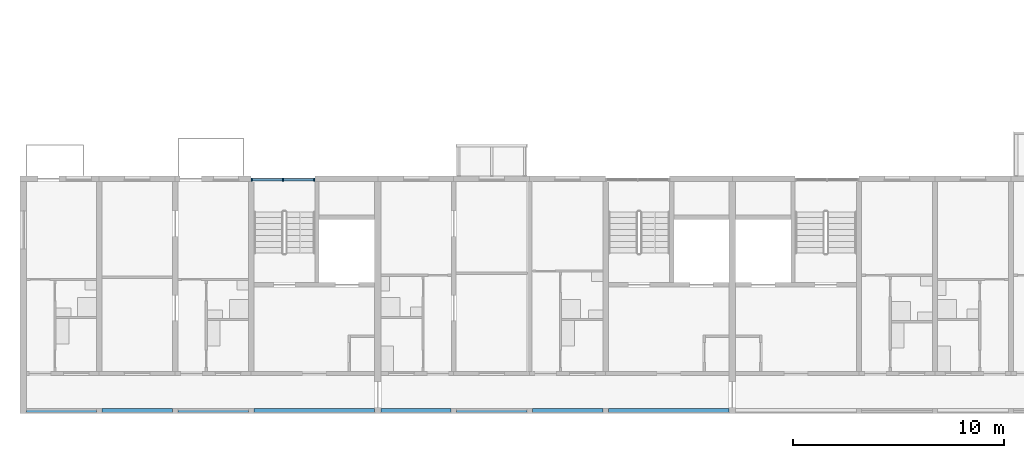
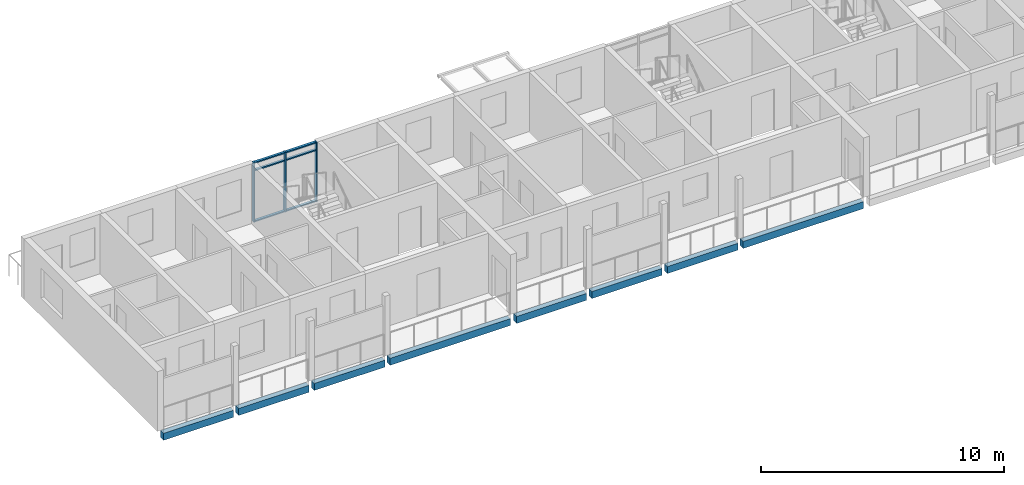
# One storey, part 5 of 98: 9 members, 8 beams, 1 element without a shape of its own.
"""IFC4 building model written with IfcOpenShell, lengths in metres."""

from ifc_helpers import new_model, si_unit, direction, frame, origin, origin_2d, place, context, subcontext, project, spatial, rectangle, extrude, material, material_profile, profile_set, type_object, element, aggregate, save


model = new_model("IFC4")

# Units and contexts
model_context = context("Model", 3, precision=1e-05, world=origin(), true_north=direction((0.0, 1.0)))
body_context = subcontext(model_context, "Body", "Model", "MODEL_VIEW")
ifc_project = project(units=[si_unit("LENGTHUNIT", "METRE"), si_unit("AREAUNIT", "SQUARE_METRE"), si_unit("VOLUMEUNIT", "CUBIC_METRE"), si_unit("PLANEANGLEUNIT", "RADIAN"), si_unit("MASSUNIT", "GRAM", prefix="KILO")], contexts=[model_context])

# Site, building, storey
site_placement = place(None, origin())
site = spatial("IfcSite", under=ifc_project, at=site_placement, CompositionType="ELEMENT")
building_placement = place(site_placement, origin())
building = spatial("IfcBuilding", under=site, at=building_placement, Name="Ridgestep Commons", CompositionType="ELEMENT")
storey_placement = place(building_placement, frame((0.0, 0.0, 12.0)))
storey = spatial("IfcBuildingStorey", under=building, at=storey_placement, Name="L04", CompositionType="ELEMENT", Elevation=12.0)

# Beams
ifc_material_1 = material(Name="Precast concrete C40/50", Category="concrete")
ifc_material_profile_1 = material_profile(ifc_material_1, rectangle(XDim=0.25, YDim=0.35009765625, at=origin_2d()), Name="PC 250x350")
ifc_profile_set_1 = profile_set([ifc_material_profile_1], Name="Precast concrete C40/50")
beam_type = type_object("IfcBeamType", Name="Loggia edge beam 250 x 350", PredefinedType="SPANDREL", material=ifc_profile_set_1)
beam_1_placement = place(storey_placement, frame((12.14990234375, 11.875, -0.375), z_axis=(1.0, 0.0, 0.0), x_axis=(0.0, 1.0, 0.0)))
element("IfcBeam", 1, at=beam_1_placement, inside=storey, type_object=beam_type, Name="Loggia edge beam A1T1 L04", PredefinedType="SPANDREL", context=body_context, shape_type="SweptSolid", body=[
    extrude(rectangle(XDim=0.25, YDim=0.35009765625, at=origin_2d()), origin(), (0.0, 0.0, 1.0), 3.3251953125),
])
beam_2_placement = place(storey_placement, frame((15.72509765625, 11.875, -0.375), z_axis=(1.0, 0.0, 0.0), x_axis=(0.0, 1.0, 0.0)))
element("IfcBeam", 2, at=beam_2_placement, inside=storey, type_object=beam_type, Name="Loggia edge beam A1T2 L04", PredefinedType="SPANDREL", context=body_context, shape_type="SweptSolid", body=[
    extrude(rectangle(XDim=0.25, YDim=0.35009765625, at=origin_2d()), origin(), (0.0, 0.0, 1.0), 3.349853515625),
])
beam_3_placement = place(storey_placement, frame((19.324951171875, 11.875, -0.375), z_axis=(1.0, 0.0, 0.0), x_axis=(0.0, 1.0, 0.0)))
element("IfcBeam", 3, at=beam_3_placement, inside=storey, type_object=beam_type, Name="Loggia edge beam A1T3 L04", PredefinedType="SPANDREL", context=body_context, shape_type="SweptSolid", body=[
    extrude(rectangle(XDim=0.25, YDim=0.35009765625, at=origin_2d()), origin(), (0.0, 0.0, 1.0), 3.35009765625),
])
beam_4_placement = place(storey_placement, frame((22.925048828125, 11.875, -0.375), z_axis=(1.0, 0.0, 0.0), x_axis=(0.0, 1.0, 0.0)))
element("IfcBeam", 4, at=beam_4_placement, inside=storey, type_object=beam_type, Name="Loggia edge beam A1C L04", PredefinedType="SPANDREL", context=body_context, shape_type="SweptSolid", body=[
    extrude(rectangle(XDim=0.25, YDim=0.35009765625, at=origin_2d()), origin(), (0.0, 0.0, 1.0), 5.724853515625),
])
beam_5_placement = place(storey_placement, frame((28.949951171875, 11.875, -0.375), z_axis=(1.0, 0.0, 0.0), x_axis=(0.0, 1.0, 0.0)))
element("IfcBeam", 5, at=beam_5_placement, inside=storey, type_object=beam_type, Name="Loggia edge beam A2T1 L04", PredefinedType="SPANDREL", context=body_context, shape_type="SweptSolid", body=[
    extrude(rectangle(XDim=0.25, YDim=0.35009765625, at=origin_2d()), origin(), (0.0, 0.0, 1.0), 3.324951171875),
])
for number, where, z_axis, x_axis, name in (
    (6, (32.52490234375, 11.875, -0.375), (1.0, 0.0, 0.0), (0.0, 1.0, 0.0), "Loggia edge beam A2T2 L04"),
    (7, (36.125, 11.875, -0.375), (1.0, 0.0, 0.0), (0.0, 1.0, 0.0), "Loggia edge beam A2T3 L04"),
):
    element("IfcBeam", number, at=place(storey_placement, frame(where, z_axis=z_axis, x_axis=x_axis)), inside=storey, type_object=beam_type, Name=name, PredefinedType="SPANDREL", context=body_context, shape_type="SweptSolid", body=[
        extrude(rectangle(XDim=0.25, YDim=0.35009765625, at=origin_2d()), origin(), (0.0, 0.0, 1.0), 3.35009765625),
    ])
beam_6_placement = place(storey_placement, frame((39.72509765625, 11.875, -0.375), z_axis=(1.0, 0.0, 0.0), x_axis=(0.0, 1.0, 0.0)))
element("IfcBeam", 8, at=beam_6_placement, inside=storey, type_object=beam_type, Name="Loggia edge beam A2C L04", PredefinedType="SPANDREL", context=body_context, shape_type="SweptSolid", body=[
    extrude(rectangle(XDim=0.25, YDim=0.35009765625, at=origin_2d()), origin(), (0.0, 0.0, 1.0), 5.724853515625),
])

# Curtain wall, members
ifc_material_2 = material(Name="Aluminium 6063-T6 and glass", Category="aluminium")
curtain_wall_type = type_object("IfcCurtainWallType", Name="Curtain wall stair strip", PredefinedType="NOTDEFINED", material=ifc_material_2)
curtain_wall_placement = place(storey_placement, origin())
curtain_wall = element("IfcCurtainWall", 9, at=curtain_wall_placement, inside=storey, type_object=curtain_wall_type, Name="Curtain wall A1C level 04", PredefinedType="NOTDEFINED")
ifc_material_3 = material(Name="Aluminium 6063-T6", Category="aluminium")
ifc_material_profile_2 = material_profile(ifc_material_3, rectangle(XDim=0.159912109375, YDim=0.06005859375, at=origin_2d()), Name="Mullion 60 x 160")
ifc_profile_set_2 = profile_set([ifc_material_profile_2], Name="Aluminium 6063-T6")
member_type_1 = type_object("IfcMemberType", Name="Mullion 60 x 160", PredefinedType="MULLION", material=ifc_profile_set_2)
member_1_placement = place(storey_placement, frame((22.830078125, 22.830078125, 0.0), z_axis=(0.0, 0.0, 1.0), x_axis=(0.0, 1.0, 0.0)))
member_1 = element("IfcMember", 10, at=member_1_placement, type_object=member_type_1, Name="CW1 mullion 1", PredefinedType="MULLION", context=body_context, shape_type="SweptSolid", body=[
    extrude(rectangle(XDim=0.159912109375, YDim=0.06005859375, at=origin_2d()), origin(), (0.0, 0.0, 1.0), 3.0),
])
member_2_placement = place(storey_placement, frame((24.3125, 22.830078125, 0.0), z_axis=(0.0, 0.0, 1.0), x_axis=(0.0, 1.0, 0.0)))
member_2 = element("IfcMember", 11, at=member_2_placement, type_object=member_type_1, Name="CW1 mullion 2", PredefinedType="MULLION", context=body_context, shape_type="SweptSolid", body=[
    extrude(rectangle(XDim=0.159912109375, YDim=0.06005859375, at=origin_2d()), origin(), (0.0, 0.0, 1.0), 3.0),
])
member_3_placement = place(storey_placement, frame((25.794921875, 22.830078125, 0.0), z_axis=(0.0, 0.0, 1.0), x_axis=(0.0, 1.0, 0.0)))
member_3 = element("IfcMember", 12, at=member_3_placement, type_object=member_type_1, Name="CW1 mullion 3", PredefinedType="MULLION", context=body_context, shape_type="SweptSolid", body=[
    extrude(rectangle(XDim=0.159912109375, YDim=0.06005859375, at=origin_2d()), origin(), (0.0, 0.0, 1.0), 3.0),
])
ifc_material_4 = material(Name="Aluminium 6063-T6", Category="aluminium")
ifc_material_profile_3 = material_profile(ifc_material_4, rectangle(XDim=0.1201171875, YDim=0.06005859375, at=origin_2d()), Name="Transom 60 x 120")
ifc_profile_set_3 = profile_set([ifc_material_profile_3], Name="Aluminium 6063-T6")
member_type_2 = type_object("IfcMemberType", Name="Transom 60 x 120", PredefinedType="USERDEFINED", material=ifc_profile_set_3)
member_4_placement = place(storey_placement, frame((22.860107421875, 22.830078125, 0.030029296875), z_axis=(1.0, 0.0, 0.0), x_axis=(0.0, 1.0, 0.0)))
member_4 = element("IfcMember", 13, at=member_4_placement, type_object=member_type_2, Name="CW1 transom 1.1", ObjectType="TRANSOM", PredefinedType="USERDEFINED", context=body_context, shape_type="SweptSolid", body=[
    extrude(rectangle(XDim=0.1201171875, YDim=0.06005859375, at=origin_2d()), origin(), (0.0, 0.0, 1.0), 1.42236328125),
])
member_5_placement = place(storey_placement, frame((22.860107421875, 22.830078125, 2.590087890625), z_axis=(1.0, 0.0, 0.0), x_axis=(0.0, 1.0, 0.0)))
member_5 = element("IfcMember", 14, at=member_5_placement, type_object=member_type_2, Name="CW1 transom 1.2", ObjectType="TRANSOM", PredefinedType="USERDEFINED", context=body_context, shape_type="SweptSolid", body=[
    extrude(rectangle(XDim=0.1201171875, YDim=0.06005859375, at=origin_2d()), origin(), (0.0, 0.0, 1.0), 1.42236328125),
])
member_6_placement = place(storey_placement, frame((22.860107421875, 22.830078125, 2.969970703125), z_axis=(1.0, 0.0, 0.0), x_axis=(0.0, 1.0, 0.0)))
member_6 = element("IfcMember", 15, at=member_6_placement, type_object=member_type_2, Name="CW1 transom 1.3", ObjectType="TRANSOM", PredefinedType="USERDEFINED", context=body_context, shape_type="SweptSolid", body=[
    extrude(rectangle(XDim=0.1201171875, YDim=0.06005859375, at=origin_2d()), origin(), (0.0, 0.0, 1.0), 1.42236328125),
])
member_7_placement = place(storey_placement, frame((24.342529296875, 22.830078125, 0.030029296875), z_axis=(1.0, 0.0, 0.0), x_axis=(0.0, 1.0, 0.0)))
member_7 = element("IfcMember", 16, at=member_7_placement, type_object=member_type_2, Name="CW1 transom 2.1", ObjectType="TRANSOM", PredefinedType="USERDEFINED", context=body_context, shape_type="SweptSolid", body=[
    extrude(rectangle(XDim=0.1201171875, YDim=0.06005859375, at=origin_2d()), origin(), (0.0, 0.0, 1.0), 1.42236328125),
])
member_8_placement = place(storey_placement, frame((24.342529296875, 22.830078125, 2.590087890625), z_axis=(1.0, 0.0, 0.0), x_axis=(0.0, 1.0, 0.0)))
member_8 = element("IfcMember", 17, at=member_8_placement, type_object=member_type_2, Name="CW1 transom 2.2", ObjectType="TRANSOM", PredefinedType="USERDEFINED", context=body_context, shape_type="SweptSolid", body=[
    extrude(rectangle(XDim=0.1201171875, YDim=0.06005859375, at=origin_2d()), origin(), (0.0, 0.0, 1.0), 1.42236328125),
])
member_9_placement = place(storey_placement, frame((24.342529296875, 22.830078125, 2.969970703125), z_axis=(1.0, 0.0, 0.0), x_axis=(0.0, 1.0, 0.0)))
member_9 = element("IfcMember", 18, at=member_9_placement, type_object=member_type_2, Name="CW1 transom 2.3", ObjectType="TRANSOM", PredefinedType="USERDEFINED", context=body_context, shape_type="SweptSolid", body=[
    extrude(rectangle(XDim=0.1201171875, YDim=0.06005859375, at=origin_2d()), origin(), (0.0, 0.0, 1.0), 1.42236328125),
])
aggregate(curtain_wall, [member_1, member_2, member_3, member_4, member_5, member_6, member_7, member_8, member_9])

save(model, "model.ifc")
